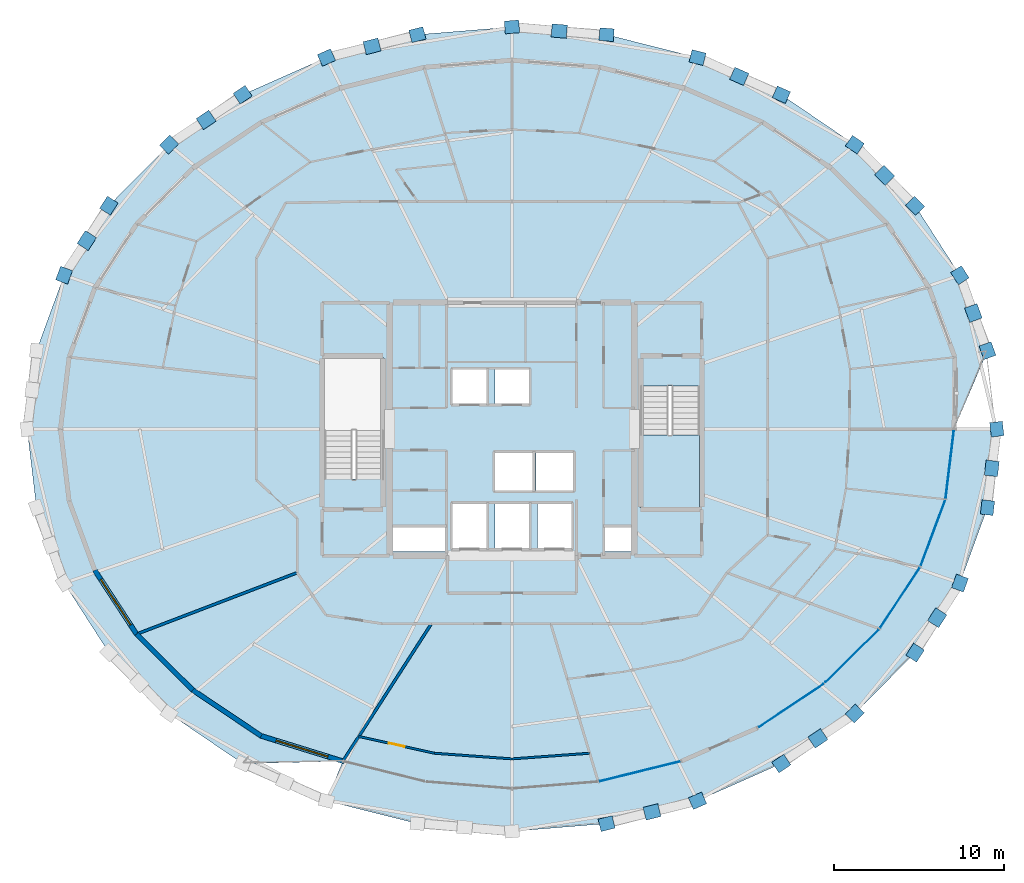
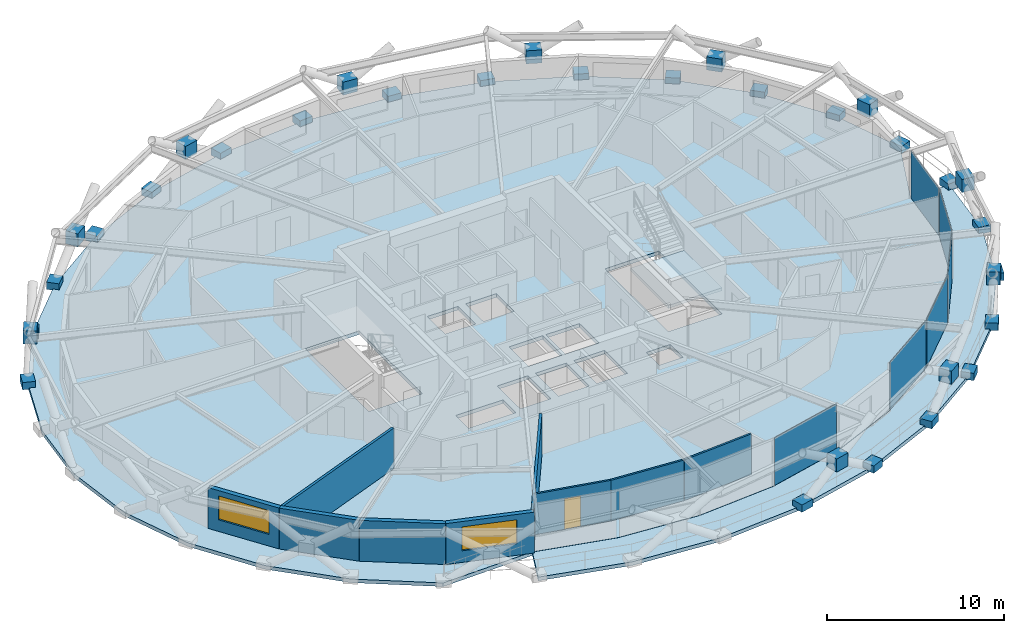
# One storey, part 12 of 20: 39 plates, 9 walls, 3 slabs, 2 windows, 1 door, 3 openings, 3 elements without a shape of their own.
"""IFC4 building model written with IfcOpenShell, lengths in metres."""

from ifc_helpers import new_model, si_unit, direction, frame, frame_2d, origin, origin_2d, place, context, subcontext, project, spatial, polyline, rectangle, outline, extrude, material, layer, layer_set, type_object, element, fill, aggregate, save


model = new_model("IFC4")

# Units and contexts
model_context = context("Model", 3, precision=1e-05, world=origin(), true_north=direction((0.0, 1.0)))
body_context = subcontext(model_context, "Body", "Model", "MODEL_VIEW")
ifc_project = project(units=[si_unit("LENGTHUNIT", "METRE"), si_unit("AREAUNIT", "SQUARE_METRE"), si_unit("VOLUMEUNIT", "CUBIC_METRE"), si_unit("PLANEANGLEUNIT", "RADIAN"), si_unit("MASSUNIT", "GRAM", prefix="KILO")], contexts=[model_context])

# Site, building, storey
site_placement = place(None, origin())
site = spatial("IfcSite", under=ifc_project, at=site_placement, CompositionType="ELEMENT")
building_placement = place(site_placement, origin())
building = spatial("IfcBuilding", under=site, at=building_placement, Name="Veldorina Hangang Commons", CompositionType="ELEMENT")
storey_placement = place(building_placement, frame((0.0, 0.0, 131.60009765625)))
storey = spatial("IfcBuildingStorey", under=building, at=storey_placement, Name="L33", CompositionType="ELEMENT", Elevation=131.60009765625)

# Curtain wall, plate
ifc_material_1 = material(Name="Glass Low-E Triple IGU", Category="glass")
ifc_layer_1 = layer(ifc_material_1, 0.179931640625)
ifc_layer_set_1 = layer_set([ifc_layer_1], Name="Glass Low-E Triple IGU")
curtain_wall_type = type_object("IfcCurtainWallType", Name="CW-SYS-Z2", PredefinedType="NOTDEFINED", material=ifc_layer_set_1)
curtain_wall_1_placement = place(storey_placement, origin())
curtain_wall_1 = element("IfcCurtainWall", 1, at=curtain_wall_1_placement, inside=storey, type_object=curtain_wall_type, Name="L33 unitised curtain wall CW-L33-R1", PredefinedType="NOTDEFINED")
ifc_layer_2 = layer(ifc_material_1, 0.0400390625)
ifc_layer_set_2 = layer_set([ifc_layer_2], Name="Glass Low-E Triple IGU")
plate_type_1 = type_object("IfcPlateType", Name="CW-PNL-VIS", PredefinedType="CURTAIN_PANEL", material=ifc_layer_set_2)
plate_1_placement = place(storey_placement, frame((39.517822265625, 3.84814453125, 0.0146484375), z_axis=(0.0, 0.0, 1.0), x_axis=(0.970896497312, 0.239499460349, 0.0)))
plate_1 = element("IfcPlate", 2, at=plate_1_placement, type_object=plate_type_1, Name="CW-L33-R1 facet 4 glazed vision panel", PredefinedType="CURTAIN_PANEL", context=body_context, shape_type="SweptSolid", body=[
    extrude(rectangle(XDim=4.84814453125, YDim=0.0400390625, at=origin_2d()), origin(), (0.0, 0.0, 1.0), 3.280029296875),
])
aggregate(curtain_wall_1, [plate_1])

# Curtain wall, plates
curtain_wall_2_placement = place(storey_placement, origin())
curtain_wall_2 = element("IfcCurtainWall", 3, at=curtain_wall_2_placement, inside=storey, type_object=curtain_wall_type, Name="L33 unitised curtain wall CW-L33-R2", PredefinedType="NOTDEFINED")
plate_2_placement = place(storey_placement, frame((48.4296875, 7.721435546875, 0.0146484375), z_axis=(0.0, 0.0, 1.0), x_axis=(0.8317991479, 0.55507673123, 0.0)))
plate_2 = element("IfcPlate", 4, at=plate_2_placement, type_object=plate_type_1, Name="CW-L33-R2 facet 1 glazed vision panel", PredefinedType="CURTAIN_PANEL", context=body_context, shape_type="SweptSolid", body=[
    extrude(rectangle(XDim=4.560791015625, YDim=0.0400390625, at=origin_2d()), origin(), (0.0, 0.0, 1.0), 3.280029296875),
])
plate_3_placement = place(storey_placement, frame((52.019775390625, 10.640380859375, 0.0146484375), z_axis=(0.0, 0.0, 1.0), x_axis=(0.710369661907, 0.703828774235, 0.0)))
plate_3 = element("IfcPlate", 5, at=plate_3_placement, type_object=plate_type_1, Name="CW-L33-R2 facet 2 glazed vision panel", PredefinedType="CURTAIN_PANEL", context=body_context, shape_type="SweptSolid", body=[
    extrude(rectangle(XDim=4.3759765625, YDim=0.0400390625, at=origin_2d()), origin(), (0.0, 0.0, 1.0), 3.280029296875),
])
plate_4_placement = place(storey_placement, frame((54.84033203125, 14.072998046875, 0.0146484375), z_axis=(0.0, 0.0, 1.0), x_axis=(0.549299952023, 0.835625252555, 0.0)))
plate_4 = element("IfcPlate", 6, at=plate_4_placement, type_object=plate_type_1, Name="CW-L33-R2 facet 3 glazed vision panel", PredefinedType="CURTAIN_PANEL", context=body_context, shape_type="SweptSolid", body=[
    extrude(rectangle(XDim=4.197998046875, YDim=0.0400390625, at=origin_2d()), origin(), (0.0, 0.0, 1.0), 3.280029296875),
])
plate_5_placement = place(storey_placement, frame((56.783203125, 17.886962890625, 0.0146484375), z_axis=(0.0, 0.0, 1.0), x_axis=(0.34953702309, 0.936922552557, 0.0)))
plate_5 = element("IfcPlate", 7, at=plate_5_placement, type_object=plate_type_1, Name="CW-L33-R2 facet 4 glazed vision panel", PredefinedType="CURTAIN_PANEL", context=body_context, shape_type="SweptSolid", body=[
    extrude(rectangle(XDim=4.056884765625, YDim=0.0400390625, at=origin_2d()), origin(), (0.0, 0.0, 1.0), 3.280029296875),
])
plate_6_placement = place(storey_placement, frame((57.773681640625, 21.935791015625, 0.0146484375), z_axis=(0.0, 0.0, 1.0), x_axis=(0.120240799481, 0.992744755786, 0.0)))
plate_6 = element("IfcPlate", 8, at=plate_6_placement, type_object=plate_type_1, Name="CW-L33-R2 facet 5 glazed vision panel", PredefinedType="CURTAIN_PANEL", context=body_context, shape_type="SweptSolid", body=[
    extrude(rectangle(XDim=3.978515625, YDim=0.0400390625, at=origin_2d()), origin(), (0.0, 0.0, 1.0), 3.280029296875),
])
aggregate(curtain_wall_2, [plate_2, plate_3, plate_4, plate_5, plate_6])

# Plates
ifc_material_2 = material(Name="Steel SM460-TMC", Category="steel")
ifc_layer_3 = layer(ifc_material_2, 0.035888671875)
ifc_layer_set_3 = layer_set([ifc_layer_3], Name="Steel SM460-TMC")
plate_type_2 = type_object("IfcPlateType", Name="PL-STAR-36", PredefinedType="USERDEFINED", material=ifc_layer_set_3)
for number, where, z_axis, x_axis, name in (
    (9, (60.543701171875, 24.0, -0.090087890625), (0.0, 0.0, 1.0), (-0.117901368155, 0.993025310547, 0.0), "L33 diagrid star-node gusset plate 00"),
    (10, (59.9951171875, 28.619873046875, -0.090087890625), (0.0, 0.0, 1.0), (-0.343413828511, 0.939184189809, 0.0), "L33 diagrid star-node gusset plate 01"),
):
    element("IfcPlate", number, at=place(storey_placement, frame(where, z_axis=z_axis, x_axis=x_axis)), inside=storey, type_object=plate_type_2, Name=name, ObjectType="GUSSET PLATE", PredefinedType="USERDEFINED", context=body_context, shape_type="SweptSolid", body=[
        extrude(rectangle(XDim=0.85009765625, YDim=0.75, at=origin_2d()), origin(), (0.0, 0.0, 1.0), 0.5),
    ])
plate_7_placement = place(storey_placement, frame((59.1630859375, 30.8369140625, 1.35107421875), z_axis=(0.0, 0.0, 1.0), x_axis=(-0.343413828511, 0.939184189809, 0.0)))
element("IfcPlate", 11, at=plate_7_placement, inside=storey, type_object=plate_type_2, Name="L33 diagrid X-crossing star-node gusset plate 01", ObjectType="GUSSET PLATE", PredefinedType="USERDEFINED", context=body_context, shape_type="SweptSolid", body=[
    extrude(rectangle(XDim=0.89990234375, YDim=0.780029296875, at=origin_2d()), origin(), (0.0, 0.0, 1.0), 0.89990234375),
])
for number, where, z_axis, x_axis, name in (
    (12, (58.370849609375, 33.062255859375, -0.090087890625), (0.0, 0.0, 1.0), (-0.541605511656, 0.840632779365, 0.0), "L33 diagrid star-node gusset plate 02"),
    (13, (55.733154296875, 37.15625, -0.090087890625), (0.0, 0.0, 1.0), (-0.703258226146, 0.710934502861, 0.0), "L33 diagrid star-node gusset plate 03"),
):
    element("IfcPlate", number, at=place(storey_placement, frame(where, z_axis=z_axis, x_axis=x_axis)), inside=storey, type_object=plate_type_2, Name=name, ObjectType="GUSSET PLATE", PredefinedType="USERDEFINED", context=body_context, shape_type="SweptSolid", body=[
        extrude(rectangle(XDim=0.85009765625, YDim=0.75, at=origin_2d()), origin(), (0.0, 0.0, 1.0), 0.5),
    ])
plate_8_placement = place(storey_placement, frame((53.942138671875, 38.941162109375, 1.35107421875), z_axis=(0.0, 0.0, 1.0), x_axis=(-0.703258226146, 0.710934502861, 0.0)))
element("IfcPlate", 14, at=plate_8_placement, inside=storey, type_object=plate_type_2, Name="L33 diagrid X-crossing star-node gusset plate 03", ObjectType="GUSSET PLATE", PredefinedType="USERDEFINED", context=body_context, shape_type="SweptSolid", body=[
    extrude(rectangle(XDim=0.89990234375, YDim=0.780029296875, at=origin_2d()), origin(), (0.0, 0.0, 1.0), 0.89990234375),
])
for number, where, z_axis, x_axis, name in (
    (15, (52.183349609375, 40.74462890625, -0.090087890625), (0.0, 0.0, 1.0), (-0.8265995718, 0.562790500897, 0.0), "L33 diagrid star-node gusset plate 04"),
    (16, (47.85791015625, 43.689697265625, -0.090087890625), (0.0, 0.0, 1.0), (-0.914147858085, 0.405380924019, 0.0), "L33 diagrid star-node gusset plate 05"),
):
    element("IfcPlate", number, at=place(storey_placement, frame(where, z_axis=z_axis, x_axis=x_axis)), inside=storey, type_object=plate_type_2, Name=name, ObjectType="GUSSET PLATE", PredefinedType="USERDEFINED", context=body_context, shape_type="SweptSolid", body=[
        extrude(rectangle(XDim=0.85009765625, YDim=0.75, at=origin_2d()), origin(), (0.0, 0.0, 1.0), 0.5),
    ])
plate_9_placement = place(storey_placement, frame((45.380615234375, 44.77099609375, 1.351318359375), z_axis=(0.0, 0.0, 1.0), x_axis=(-0.914147858085, 0.405380924019, 0.0)))
element("IfcPlate", 17, at=plate_9_placement, inside=storey, type_object=plate_type_2, Name="L33 diagrid X-crossing star-node gusset plate 05", ObjectType="GUSSET PLATE", PredefinedType="USERDEFINED", context=body_context, shape_type="SweptSolid", body=[
    extrude(rectangle(XDim=0.89990234375, YDim=0.780029296875, at=origin_2d()), origin(), (0.0, 0.0, 1.0), 0.89990234375),
])
for number, where, z_axis, x_axis, name in (
    (18, (42.923095703125, 45.8779296875, -0.090087890625), (0.0, 0.0, 1.0), (-0.969761366444, 0.244055100648, 0.0), "L33 diagrid star-node gusset plate 06"),
    (19, (37.568603515625, 47.2255859375, -0.090087890625), (0.0, 0.0, 1.0), (-0.996678731961, 0.081434054644, 0.0), "L33 diagrid star-node gusset plate 07"),
):
    element("IfcPlate", number, at=place(storey_placement, frame(where, z_axis=z_axis, x_axis=x_axis)), inside=storey, type_object=plate_type_2, Name=name, ObjectType="GUSSET PLATE", PredefinedType="USERDEFINED", context=body_context, shape_type="SweptSolid", body=[
        extrude(rectangle(XDim=0.85009765625, YDim=0.75, at=origin_2d()), origin(), (0.0, 0.0, 1.0), 0.5),
    ])
plate_10_placement = place(storey_placement, frame((34.7822265625, 47.4384765625, 1.351318359375), z_axis=(0.0, 0.0, 1.0), x_axis=(-0.996678731961, 0.081434054644, 0.0)))
element("IfcPlate", 20, at=plate_10_placement, inside=storey, type_object=plate_type_2, Name="L33 diagrid X-crossing star-node gusset plate 07", ObjectType="GUSSET PLATE", PredefinedType="USERDEFINED", context=body_context, shape_type="SweptSolid", body=[
    extrude(rectangle(XDim=0.89990234375, YDim=0.780029296875, at=origin_2d()), origin(), (0.0, 0.0, 1.0), 0.89990234375),
])
for number, where, z_axis, x_axis, name in (
    (21, (32.0, 47.6806640625, -0.090087890625), (0.0, 0.0, 1.0), (-0.996678731961, -0.081434054644, 0.0), "L33 diagrid star-node gusset plate 08"),
    (22, (26.431396484375, 47.2255859375, -0.090087890625), (0.0, 0.0, 1.0), (-0.969761366444, -0.244055100648, 0.0), "L33 diagrid star-node gusset plate 09"),
):
    element("IfcPlate", number, at=place(storey_placement, frame(where, z_axis=z_axis, x_axis=x_axis)), inside=storey, type_object=plate_type_2, Name=name, ObjectType="GUSSET PLATE", PredefinedType="USERDEFINED", context=body_context, shape_type="SweptSolid", body=[
        extrude(rectangle(XDim=0.85009765625, YDim=0.75, at=origin_2d()), origin(), (0.0, 0.0, 1.0), 0.5),
    ])
plate_11_placement = place(storey_placement, frame((23.76025390625, 46.53759765625, 1.351318359375), z_axis=(0.0, 0.0, 1.0), x_axis=(-0.969761366444, -0.244055100648, 0.0)))
element("IfcPlate", 23, at=plate_11_placement, inside=storey, type_object=plate_type_2, Name="L33 diagrid X-crossing star-node gusset plate 09", ObjectType="GUSSET PLATE", PredefinedType="USERDEFINED", context=body_context, shape_type="SweptSolid", body=[
    extrude(rectangle(XDim=0.89990234375, YDim=0.780029296875, at=origin_2d()), origin(), (0.0, 0.0, 1.0), 0.89990234375),
])
for number, where, z_axis, x_axis, name in (
    (24, (21.076904296875, 45.8779296875, -0.090087890625), (0.0, 0.0, 1.0), (-0.914147858085, -0.405380924019, 0.0), "L33 diagrid star-node gusset plate 10"),
    (25, (16.14208984375, 43.689697265625, -0.090087890625), (0.0, 0.0, 1.0), (-0.8265995718, -0.562790500897, 0.0), "L33 diagrid star-node gusset plate 11"),
):
    element("IfcPlate", number, at=place(storey_placement, frame(where, z_axis=z_axis, x_axis=x_axis)), inside=storey, type_object=plate_type_2, Name=name, ObjectType="GUSSET PLATE", PredefinedType="USERDEFINED", context=body_context, shape_type="SweptSolid", body=[
        extrude(rectangle(XDim=0.85009765625, YDim=0.75, at=origin_2d()), origin(), (0.0, 0.0, 1.0), 0.5),
    ])
plate_12_placement = place(storey_placement, frame((13.99267578125, 42.205810546875, 1.351318359375), z_axis=(0.0, 0.0, 1.0), x_axis=(-0.8265995718, -0.562790500897, 0.0)))
element("IfcPlate", 26, at=plate_12_placement, inside=storey, type_object=plate_type_2, Name="L33 diagrid X-crossing star-node gusset plate 11", ObjectType="GUSSET PLATE", PredefinedType="USERDEFINED", context=body_context, shape_type="SweptSolid", body=[
    extrude(rectangle(XDim=0.89990234375, YDim=0.780029296875, at=origin_2d()), origin(), (0.0, 0.0, 1.0), 0.89990234375),
])
for number, where, z_axis, x_axis, name in (
    (27, (11.816650390625, 40.74462890625, -0.090087890625), (0.0, 0.0, 1.0), (-0.703258226146, -0.710934502861, 0.0), "L33 diagrid star-node gusset plate 12"),
    (28, (8.266845703125, 37.15625, -0.090087890625), (0.0, 0.0, 1.0), (-0.541605511656, -0.840632779365, 0.0), "L33 diagrid star-node gusset plate 13"),
):
    element("IfcPlate", number, at=place(storey_placement, frame(where, z_axis=z_axis, x_axis=x_axis)), inside=storey, type_object=plate_type_2, Name=name, ObjectType="GUSSET PLATE", PredefinedType="USERDEFINED", context=body_context, shape_type="SweptSolid", body=[
        extrude(rectangle(XDim=0.85009765625, YDim=0.75, at=origin_2d()), origin(), (0.0, 0.0, 1.0), 0.5),
    ])
plate_13_placement = place(storey_placement, frame((6.966552734375, 35.102294921875, 1.35107421875), z_axis=(0.0, 0.0, 1.0), x_axis=(-0.541605511656, -0.840632779365, 0.0)))
element("IfcPlate", 29, at=plate_13_placement, inside=storey, type_object=plate_type_2, Name="L33 diagrid X-crossing star-node gusset plate 13", ObjectType="GUSSET PLATE", PredefinedType="USERDEFINED", context=body_context, shape_type="SweptSolid", body=[
    extrude(rectangle(XDim=0.89990234375, YDim=0.780029296875, at=origin_2d()), origin(), (0.0, 0.0, 1.0), 0.89990234375),
])
for number, where, z_axis, x_axis, name in (
    (30, (5.629150390625, 33.062255859375, -0.090087890625), (0.0, 0.0, 1.0), (-0.343413828511, -0.939184189809, 0.0), "L33 diagrid star-node gusset plate 14"),
    (31, (37.568603515625, 0.7744140625, -0.090087890625), (0.0, 0.0, 1.0), (0.969761366444, 0.244055100648, 0.0), "L33 diagrid star-node gusset plate 25"),
):
    element("IfcPlate", number, at=place(storey_placement, frame(where, z_axis=z_axis, x_axis=x_axis)), inside=storey, type_object=plate_type_2, Name=name, ObjectType="GUSSET PLATE", PredefinedType="USERDEFINED", context=body_context, shape_type="SweptSolid", body=[
        extrude(rectangle(XDim=0.85009765625, YDim=0.75, at=origin_2d()), origin(), (0.0, 0.0, 1.0), 0.5),
    ])
plate_14_placement = place(storey_placement, frame((40.23974609375, 1.46240234375, 1.351318359375), z_axis=(0.0, 0.0, 1.0), x_axis=(0.969761366444, 0.244055100648, 0.0)))
element("IfcPlate", 32, at=plate_14_placement, inside=storey, type_object=plate_type_2, Name="L33 diagrid X-crossing star-node gusset plate 25", ObjectType="GUSSET PLATE", PredefinedType="USERDEFINED", context=body_context, shape_type="SweptSolid", body=[
    extrude(rectangle(XDim=0.89990234375, YDim=0.780029296875, at=origin_2d()), origin(), (0.0, 0.0, 1.0), 0.89990234375),
])
for number, where, z_axis, x_axis, name in (
    (33, (42.923095703125, 2.1220703125, -0.090087890625), (0.0, 0.0, 1.0), (0.914147858085, 0.405380924019, 0.0), "L33 diagrid star-node gusset plate 26"),
    (34, (47.85791015625, 4.310302734375, -0.090087890625), (0.0, 0.0, 1.0), (0.8265995718, 0.562790500897, 0.0), "L33 diagrid star-node gusset plate 27"),
):
    element("IfcPlate", number, at=place(storey_placement, frame(where, z_axis=z_axis, x_axis=x_axis)), inside=storey, type_object=plate_type_2, Name=name, ObjectType="GUSSET PLATE", PredefinedType="USERDEFINED", context=body_context, shape_type="SweptSolid", body=[
        extrude(rectangle(XDim=0.85009765625, YDim=0.75, at=origin_2d()), origin(), (0.0, 0.0, 1.0), 0.5),
    ])
plate_15_placement = place(storey_placement, frame((50.00732421875, 5.794189453125, 1.351318359375), z_axis=(0.0, 0.0, 1.0), x_axis=(0.8265995718, 0.562790500897, 0.0)))
element("IfcPlate", 35, at=plate_15_placement, inside=storey, type_object=plate_type_2, Name="L33 diagrid X-crossing star-node gusset plate 27", ObjectType="GUSSET PLATE", PredefinedType="USERDEFINED", context=body_context, shape_type="SweptSolid", body=[
    extrude(rectangle(XDim=0.89990234375, YDim=0.780029296875, at=origin_2d()), origin(), (0.0, 0.0, 1.0), 0.89990234375),
])
for number, where, z_axis, x_axis, name in (
    (36, (52.183349609375, 7.25537109375, -0.090087890625), (0.0, 0.0, 1.0), (0.703258226146, 0.710934502861, 0.0), "L33 diagrid star-node gusset plate 28"),
    (37, (55.733154296875, 10.84375, -0.090087890625), (0.0, 0.0, 1.0), (0.541605511656, 0.840632779365, 0.0), "L33 diagrid star-node gusset plate 29"),
):
    element("IfcPlate", number, at=place(storey_placement, frame(where, z_axis=z_axis, x_axis=x_axis)), inside=storey, type_object=plate_type_2, Name=name, ObjectType="GUSSET PLATE", PredefinedType="USERDEFINED", context=body_context, shape_type="SweptSolid", body=[
        extrude(rectangle(XDim=0.85009765625, YDim=0.75, at=origin_2d()), origin(), (0.0, 0.0, 1.0), 0.5),
    ])
plate_16_placement = place(storey_placement, frame((57.033447265625, 12.897705078125, 1.35107421875), z_axis=(0.0, 0.0, 1.0), x_axis=(0.541605511656, 0.840632779365, 0.0)))
element("IfcPlate", 38, at=plate_16_placement, inside=storey, type_object=plate_type_2, Name="L33 diagrid X-crossing star-node gusset plate 29", ObjectType="GUSSET PLATE", PredefinedType="USERDEFINED", context=body_context, shape_type="SweptSolid", body=[
    extrude(rectangle(XDim=0.89990234375, YDim=0.780029296875, at=origin_2d()), origin(), (0.0, 0.0, 1.0), 0.89990234375),
])
for number, where, z_axis, x_axis, name in (
    (39, (58.370849609375, 14.937744140625, -0.090087890625), (0.0, 0.0, 1.0), (0.343413828511, 0.939184189809, 0.0), "L33 diagrid star-node gusset plate 30"),
    (40, (59.9951171875, 19.380126953125, -0.090087890625), (0.0, 0.0, 1.0), (0.117901368155, 0.993025310547, 0.0), "L33 diagrid star-node gusset plate 31"),
):
    element("IfcPlate", number, at=place(storey_placement, frame(where, z_axis=z_axis, x_axis=x_axis)), inside=storey, type_object=plate_type_2, Name=name, ObjectType="GUSSET PLATE", PredefinedType="USERDEFINED", context=body_context, shape_type="SweptSolid", body=[
        extrude(rectangle(XDim=0.85009765625, YDim=0.75, at=origin_2d()), origin(), (0.0, 0.0, 1.0), 0.5),
    ])
plate_17_placement = place(storey_placement, frame((60.248291015625, 21.69140625, 1.35107421875), z_axis=(0.0, 0.0, 1.0), x_axis=(0.117901368155, 0.993025310547, 0.0)))
element("IfcPlate", 41, at=plate_17_placement, inside=storey, type_object=plate_type_2, Name="L33 diagrid X-crossing star-node gusset plate 31", ObjectType="GUSSET PLATE", PredefinedType="USERDEFINED", context=body_context, shape_type="SweptSolid", body=[
    extrude(rectangle(XDim=0.89990234375, YDim=0.780029296875, at=origin_2d()), origin(), (0.0, 0.0, 1.0), 0.89990234375),
])

# Slabs
ifc_material_3 = material(Name="Concrete C40/50", Category="concrete")
ifc_layer_4 = layer(ifc_material_3, 0.25)
ifc_layer_set_4 = layer_set([ifc_layer_4], Name="Concrete C40/50")
slab_type_1 = type_object("IfcSlabType", Name="SL-FLR-250", PredefinedType="FLOOR", material=ifc_layer_set_4)
slab_1_placement = place(storey_placement, frame((0.0, 0.0, -0.25)))
element("IfcSlab", 42, at=slab_1_placement, inside=storey, type_object=slab_type_1, Name="L33 tower structural floor slab", PredefinedType="FLOOR", context=body_context, shape_type="SweptSolid", body=[
    extrude(outline(polyline([(58.023681640625, 24.0), (59.9951171875, 28.619873046875), (58.370849609375, 33.062255859375), (55.733154296875, 37.15625), (52.183349609375, 40.74462890625), (47.85791015625, 43.689697265625), (42.923095703125, 45.8779296875), (37.568603515625, 47.2255859375), (32.0, 47.6806640625), (26.431396484375, 47.2255859375), (21.076904296875, 45.8779296875), (16.14208984375, 43.689697265625), (11.816650390625, 40.74462890625), (8.266845703125, 37.15625), (5.629150390625, 33.062255859375), (4.0048828125, 28.619873046875), (3.456298828125, 24.0), (4.0048828125, 19.380126953125), (5.629150390625, 14.937744140625), (8.266845703125, 10.84375), (11.816650390625, 7.25537109375), (16.14208984375, 4.310302734375), (22.041259765625, 4.4501953125), (26.923095703125, 3.24609375), (32.0, 2.83935546875), (37.076904296875, 3.24609375), (41.958740234375, 4.4501953125), (46.4580078125, 6.405517578125), (50.401611328125, 9.037109375), (53.637939453125, 12.243896484375), (56.042724609375, 15.902099609375), (57.523681640625, 19.871826171875), (58.023681640625, 24.0)]), holes=[polyline([(20.949951171875, 21.05810546875), (20.949951171875, 28.199951171875), (24.449951171875, 28.199951171875), (24.449951171875, 21.05810546875), (20.949951171875, 21.05810546875)]), polyline([(43.050048828125, 26.5419921875), (43.050048828125, 19.39990234375), (39.550048828125, 19.39990234375), (39.550048828125, 26.5419921875), (43.050048828125, 26.5419921875)]), polyline([(28.5, 27.5), (30.5, 27.5), (30.5, 25.5), (28.5, 25.5), (28.5, 27.5)]), polyline([(31.0, 27.5), (33.0, 27.5), (33.0, 25.5), (31.0, 25.5), (31.0, 27.5)]), polyline([(31.0, 22.60009765625), (33.199951171875, 22.60009765625), (33.199951171875, 20.39990234375), (31.0, 20.39990234375), (31.0, 22.60009765625)]), polyline([(33.39990234375, 22.60009765625), (35.60009765625, 22.60009765625), (35.60009765625, 20.39990234375), (33.39990234375, 20.39990234375), (33.39990234375, 22.60009765625)]), polyline([(28.5, 19.60009765625), (30.5, 19.60009765625), (30.5, 17.0), (28.5, 17.0), (28.5, 19.60009765625)]), polyline([(31.0, 19.60009765625), (33.0, 19.60009765625), (33.0, 17.0), (31.0, 17.0), (31.0, 19.60009765625)]), polyline([(33.5, 19.60009765625), (35.5, 19.60009765625), (35.5, 17.0), (33.5, 17.0), (33.5, 19.60009765625)]), polyline([(25.0, 18.25), (28.10009765625, 18.25), (28.10009765625, 16.800048828125), (25.0, 16.800048828125), (25.0, 18.25)]), polyline([(37.449951171875, 18.25), (39.0, 18.25), (39.0, 16.800048828125), (37.449951171875, 16.800048828125), (37.449951171875, 18.25)])]), origin(), (0.0, 0.0, 1.0), 0.25),
])
slab_2_placement = place(storey_placement, frame((0.0, 0.0, -0.25)))
element("IfcSlab", 43, at=slab_2_placement, inside=storey, type_object=slab_type_1, Name="L33 sky-garden loggia outdoor slab", PredefinedType="FLOOR", context=body_context, shape_type="SweptSolid", body=[
    extrude(outline(polyline([(60.543701171875, 24.0), (59.9951171875, 19.380126953125), (58.370849609375, 14.937744140625), (55.733154296875, 10.84375), (52.183349609375, 7.25537109375), (47.85791015625, 4.310302734375), (42.923095703125, 2.1220703125), (37.568603515625, 0.7744140625), (32.0, 0.3193359375), (26.431396484375, 0.7744140625), (21.076904296875, 2.1220703125), (22.034912109375, 4.43505859375), (22.03955078125, 4.435302734375), (26.91943359375, 3.2314453125), (26.920654296875, 3.231201171875), (26.921875, 3.23095703125), (31.998779296875, 2.824462890625), (32.0, 2.824462890625), (32.001220703125, 2.824462890625), (37.078125, 3.23095703125), (37.079345703125, 3.231201171875), (37.08056640625, 3.2314453125), (41.96240234375, 4.435546875), (41.963623046875, 4.43603515625), (41.96484375, 4.436279296875), (46.464111328125, 6.391845703125), (46.465087890625, 6.392333984375), (46.46630859375, 6.39306640625), (50.409912109375, 9.024658203125), (50.410888671875, 9.025634765625), (50.412109375, 9.026611328125), (53.6484375, 12.233154296875), (53.6494140625, 12.234375), (53.650390625, 12.235595703125), (56.055419921875, 15.89404296875), (56.05615234375, 15.8955078125), (56.056884765625, 15.89697265625), (57.537841796875, 19.86669921875), (57.538330078125, 19.868408203125), (57.53857421875, 19.8701171875), (58.038330078125, 23.99609375), (58.0400390625, 24.0), (60.543701171875, 24.0)])), origin(), (0.0, 0.0, 1.0), 0.25),
])

# Stair, slab
stair_type = type_object("IfcStairType", Name="STR-DOG-1650-20R", PredefinedType="HALF_TURN_STAIR", material=ifc_material_3)
stair_placement = place(storey_placement, origin())
stair = element("IfcStair", 44, at=stair_placement, inside=storey, type_object=stair_type, Name="L33 Exit stair ST-2", PredefinedType="HALF_TURN_STAIR")
ifc_layer_5 = layer(ifc_material_3, 0.199951171875)
ifc_layer_set_5 = layer_set([ifc_layer_5], Name="Concrete C40/50")
slab_type_2 = type_object("IfcSlabType", Name="SL-LND-200", PredefinedType="LANDING", material=ifc_layer_set_5)
slab_3_placement = place(storey_placement, frame((0.0, 0.0, 1.599853515625)))
slab_3 = element("IfcSlab", 45, at=slab_3_placement, type_object=slab_type_2, Name="ST-2 landing 1", PredefinedType="LANDING", context=body_context, shape_type="SweptSolid", body=[
    extrude(outline(polyline([(39.550048828125, 23.669921875), (39.550048828125, 19.39990234375), (43.050048828125, 19.39990234375), (43.050048828125, 23.669921875), (39.550048828125, 23.669921875)])), origin(), (0.0, 0.0, 1.0), 0.199951171875),
])
aggregate(stair, [slab_3])

# Wall, opening, window
ifc_material_4 = material(Name="Stone Roman Travertine", Category="masonry")
ifc_layer_6 = layer(ifc_material_4, 0.280029296875)
ifc_layer_set_6 = layer_set([ifc_layer_6], Name="Stone Roman Travertine")
wall_type_1 = type_object("IfcWallType", Name="EW-TRAV-280", PredefinedType="STANDARD", material=ifc_layer_set_6)
wall_1_placement = place(storey_placement, frame((7.43994140625, 15.68798828125, 0.0), z_axis=(0.0, 0.0, 1.0), x_axis=(0.547422319482, -0.836856501518, 0.0)))
wall_1 = element("IfcWall", 46, at=wall_1_placement, inside=storey, type_object=wall_type_1, Name="L33 travertine facade wall 18", PredefinedType="STANDARD", context=body_context, shape_type="SweptSolid", body=[
    extrude(rectangle(XDim=4.487548828125, YDim=0.280029296875, at=frame_2d((2.24365234375, 0.0))), origin(), (0.0, 0.0, 1.0), 2.81982421875),
])
opening_1_placement = place(wall_1_placement, frame((0.643798828125, 0.0, 0.800048828125)))
opening_1 = element("IfcOpeningElement", 47, at=opening_1_placement, cuts=wall_1, Name="Opening W-01", PredefinedType="OPENING", context=body_context, shape_type="SweptSolid", body=[
    extrude(rectangle(XDim=3.199951171875, YDim=1.64990234375, at=frame_2d((1.60009765625, 0.824951171875))), frame((0.0, 0.14990234375, 0.0), z_axis=(0.0, -1.0, 0.0), x_axis=(1.0, 0.0, 0.0)), (0.0, 0.0, 1.0), 0.300048828125),
])
window_type = type_object("IfcWindowType", Name="WIN-TWR-3200", PartitioningType="SINGLE_PANEL", PredefinedType="WINDOW", material=ifc_material_1)
window_1_placement = place(opening_1_placement, origin())
window_1 = element("IfcWindow", 48, at=window_1_placement, inside=storey, type_object=window_type, Name="L33 facade window 18", OverallHeight=1.64990234375, OverallWidth=3.199951171875, PartitioningType="SINGLE_PANEL", PredefinedType="WINDOW", context=body_context, shape_type="SweptSolid", body=[
    extrude(rectangle(XDim=3.199951171875, YDim=1.64990234375, at=frame_2d((1.60009765625, 0.824951171875))), frame((0.0, 0.030029296875, 0.0), z_axis=(0.0, -1.0, 0.0), x_axis=(1.0, 0.0, 0.0)), (0.0, 0.0, 1.0), 0.06005859375),
])
fill(opening_1, window_1)

# Walls
wall_2_placement = place(storey_placement, frame((9.896484375, 11.9326171875, 0.0), z_axis=(0.0, 0.0, 1.0), x_axis=(0.708648936292, -0.705561255379, 0.0)))
element("IfcWall", 49, at=wall_2_placement, inside=storey, type_object=wall_type_1, Name="L33 travertine facade wall 19", PredefinedType="STANDARD", context=body_context, shape_type="SweptSolid", body=[
    extrude(rectangle(XDim=4.6650390625, YDim=0.280029296875, at=frame_2d((2.33251953125, 0.0))), origin(), (0.0, 0.0, 1.0), 2.81982421875),
])
wall_3_placement = place(storey_placement, frame((13.202392578125, 8.64111328125, 0.0), z_axis=(0.0, 0.0, 1.0), x_axis=(0.830576039751, -0.556905236277, 0.0)))
element("IfcWall", 50, at=wall_3_placement, inside=storey, type_object=wall_type_1, Name="L33 travertine facade wall 20", PredefinedType="STANDARD", context=body_context, shape_type="SweptSolid", body=[
    extrude(rectangle(XDim=4.850341796875, YDim=0.280029296875, at=frame_2d((2.42529296875, 0.0))), origin(), (0.0, 0.0, 1.0), 2.81982421875),
])

# Wall, opening, window
wall_4_placement = place(storey_placement, frame((17.23095703125, 5.93994140625, 0.0), z_axis=(0.0, 0.0, 1.0), x_axis=(0.955245215398, -0.295815108571, 0.0)))
wall_4 = element("IfcWall", 51, at=wall_4_placement, inside=storey, type_object=wall_type_1, Name="L33 travertine facade wall 21", PredefinedType="STANDARD", context=body_context, shape_type="SweptSolid", body=[
    extrude(rectangle(XDim=5.127685546875, YDim=0.280029296875, at=frame_2d((2.56396484375, 0.0))), origin(), (0.0, 0.0, 1.0), 2.81982421875),
])
opening_2_placement = place(wall_4_placement, frame((0.91796875, 0.0, 0.800048828125)))
opening_2 = element("IfcOpeningElement", 52, at=opening_2_placement, cuts=wall_4, Name="Opening W-01", PredefinedType="OPENING", context=body_context, shape_type="SweptSolid", body=[
    extrude(rectangle(XDim=3.199951171875, YDim=1.64990234375, at=frame_2d((1.60009765625, 0.824951171875))), frame((0.0, 0.14990234375, 0.0), z_axis=(0.0, -1.0, 0.0), x_axis=(1.0, 0.0, 0.0)), (0.0, 0.0, 1.0), 0.300048828125),
])
window_2_placement = place(opening_2_placement, origin())
window_2 = element("IfcWindow", 53, at=window_2_placement, inside=storey, type_object=window_type, Name="L33 facade window 21", OverallHeight=1.64990234375, OverallWidth=3.199951171875, PartitioningType="SINGLE_PANEL", PredefinedType="WINDOW", context=body_context, shape_type="SweptSolid", body=[
    extrude(rectangle(XDim=3.199951171875, YDim=1.64990234375, at=frame_2d((1.60009765625, 0.824951171875))), frame((0.0, 0.030029296875, 0.0), z_axis=(0.0, -1.0, 0.0), x_axis=(1.0, 0.0, 0.0)), (0.0, 0.0, 1.0), 0.06005859375),
])
fill(opening_2, window_2)

# Walls
ifc_material_5 = material(Name="Gypsum Fire-Rated Twin Stud Wall", Category="gypsum")
ifc_layer_7 = layer(ifc_material_5, 0.159912109375)
ifc_layer_set_7 = layer_set([ifc_layer_7], Name="Gypsum Fire-Rated Twin Stud Wall")
wall_type_2 = type_object("IfcWallType", Name="WL-FIRE-160", PredefinedType="SOLIDWALL", material=ifc_layer_set_7)
wall_5_placement = place(storey_placement, frame((19.35009765625, 15.547607421875, 0.0), z_axis=(0.0, 0.0, 1.0), x_axis=(-0.934047315804, -0.357149285088, 0.0)))
element("IfcWall", 54, at=wall_5_placement, inside=storey, type_object=wall_type_2, Name="L33 Unit party wall 19 120", PredefinedType="SOLIDWALL", context=body_context, shape_type="SweptSolid", body=[
    extrude(rectangle(XDim=10.0712890625, YDim=0.159912109375, at=frame_2d((5.03564453125, 0.0))), origin(), (0.0, 0.0, 1.0), 2.7998046875),
])
wall_6_placement = place(storey_placement, frame((27.25732421875, 12.550048828125, 0.0), z_axis=(0.0, 0.0, 1.0), x_axis=(-0.541415324631, -0.840755283215, 0.0)))
element("IfcWall", 55, at=wall_6_placement, inside=storey, type_object=wall_type_2, Name="L33 Unit party wall 22 121", PredefinedType="SOLIDWALL", context=body_context, shape_type="SweptSolid", body=[
    extrude(rectangle(XDim=9.583984375, YDim=0.159912109375, at=frame_2d((4.7919921875, 0.0))), origin(), (0.0, 0.0, 1.0), 2.7998046875),
])

# Wall, opening, door
ifc_material_6 = material(Name="Gypsum Acoustic Stud Partition", Category="gypsum")
ifc_layer_8 = layer(ifc_material_6, 0.1201171875)
ifc_layer_set_8 = layer_set([ifc_layer_8], Name="Gypsum Acoustic Stud Partition")
wall_type_3 = type_object("IfcWallType", Name="WL-PART-120", PredefinedType="PARTITIONING", material=ifc_layer_set_8)
wall_7_placement = place(storey_placement, frame((22.97998046875, 5.908203125, 0.0), z_axis=(0.0, 0.0, 1.0), x_axis=(0.976218575883, -0.216788588495, 0.0)))
wall_7 = element("IfcWall", 56, at=wall_7_placement, inside=storey, type_object=wall_type_3, Name="L33 Laundry split 0 122", PredefinedType="PARTITIONING", context=body_context, shape_type="SweptSolid", body=[
    extrude(rectangle(XDim=4.555419921875, YDim=0.1201171875, at=frame_2d((2.27783203125, 0.0))), origin(), (0.0, 0.0, 1.0), 2.7998046875),
])
opening_3_placement = place(wall_7_placement, frame((1.802490234375, 0.0, 0.0)))
opening_3 = element("IfcOpeningElement", 57, at=opening_3_placement, cuts=wall_7, Name="Opening D-02", PredefinedType="OPENING", context=body_context, shape_type="SweptSolid", body=[
    extrude(rectangle(XDim=0.949951171875, YDim=2.10009765625, at=frame_2d((0.47509765625, 1.050048828125))), frame((0.0, 0.070068359375, 0.0), z_axis=(0.0, -1.0, 0.0), x_axis=(1.0, 0.0, 0.0)), (0.0, 0.0, 1.0), 0.14013671875),
])
ifc_material_7 = material(Name="Timber Solid Core Acoustic", Category="wood")
door_type = type_object("IfcDoorType", Name="DR-INT-950", OperationType="SINGLE_SWING_LEFT", PredefinedType="DOOR", material=ifc_material_7)
door_placement = place(opening_3_placement, origin())
door = element("IfcDoor", 58, at=door_placement, inside=storey, type_object=door_type, Name="L33 Resident laundry inner door 045", OperationType="SINGLE_SWING_LEFT", OverallHeight=2.10009765625, OverallWidth=0.949951171875, PredefinedType="DOOR", context=body_context, shape_type="SweptSolid", body=[
    extrude(rectangle(XDim=0.949951171875, YDim=2.10009765625, at=frame_2d((0.47509765625, 1.050048828125))), frame((0.0, 0.02490234375, 0.0), z_axis=(0.0, -1.0, 0.0), x_axis=(1.0, 0.0, 0.0)), (0.0, 0.0, 1.0), 0.050048828125),
])
fill(opening_3, door)

# Walls
for number, where, z_axis, x_axis, name in (
    (59, (27.427001953125, 4.920654296875, 0.0), (0.0, 0.0, 1.0), (0.997355230651, -0.072681110984, 0.0), "L33 Laundry split 1 123"),
    (60, (32.0, 4.58740234375, 0.0), (0.0, 0.0, 1.0), (0.997355230651, 0.072681110984, 0.0), "L33 Laundry split 2 124"),
):
    element("IfcWall", number, at=place(storey_placement, frame(where, z_axis=z_axis, x_axis=x_axis)), inside=storey, type_object=wall_type_3, Name=name, PredefinedType="PARTITIONING", context=body_context, shape_type="SweptSolid", body=[
        extrude(rectangle(XDim=4.585205078125, YDim=0.1201171875, at=frame_2d((2.29248046875, 0.0))), origin(), (0.0, 0.0, 1.0), 2.7998046875),
    ])

save(model, "model.ifc")
